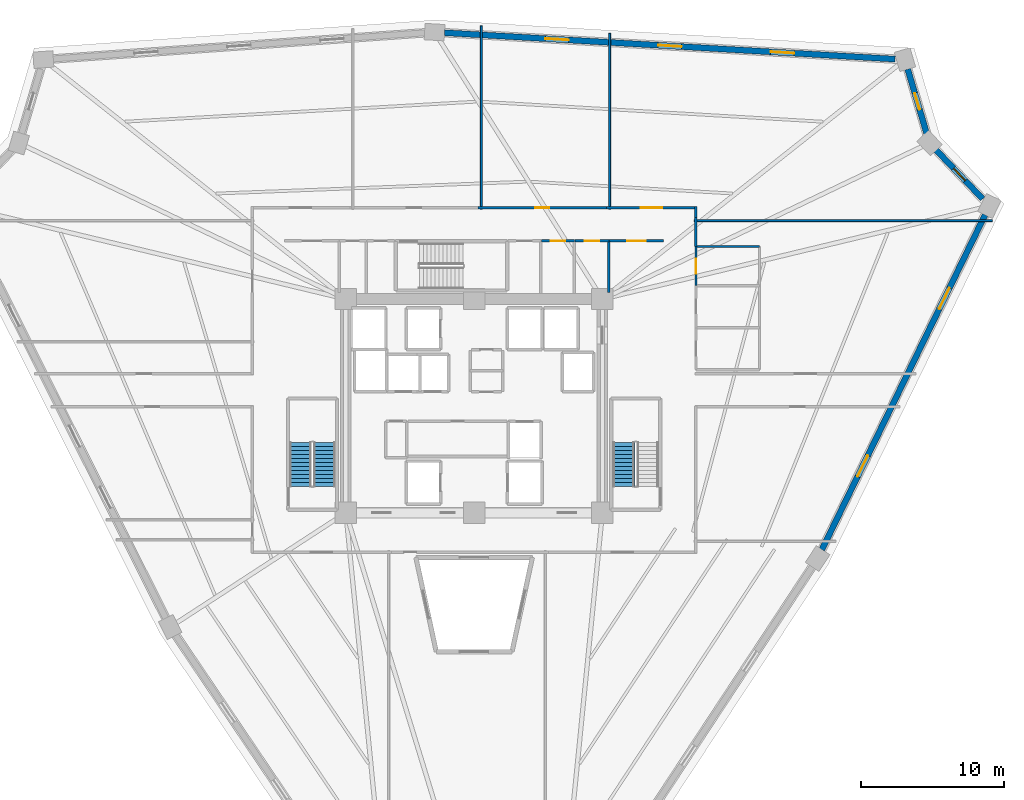
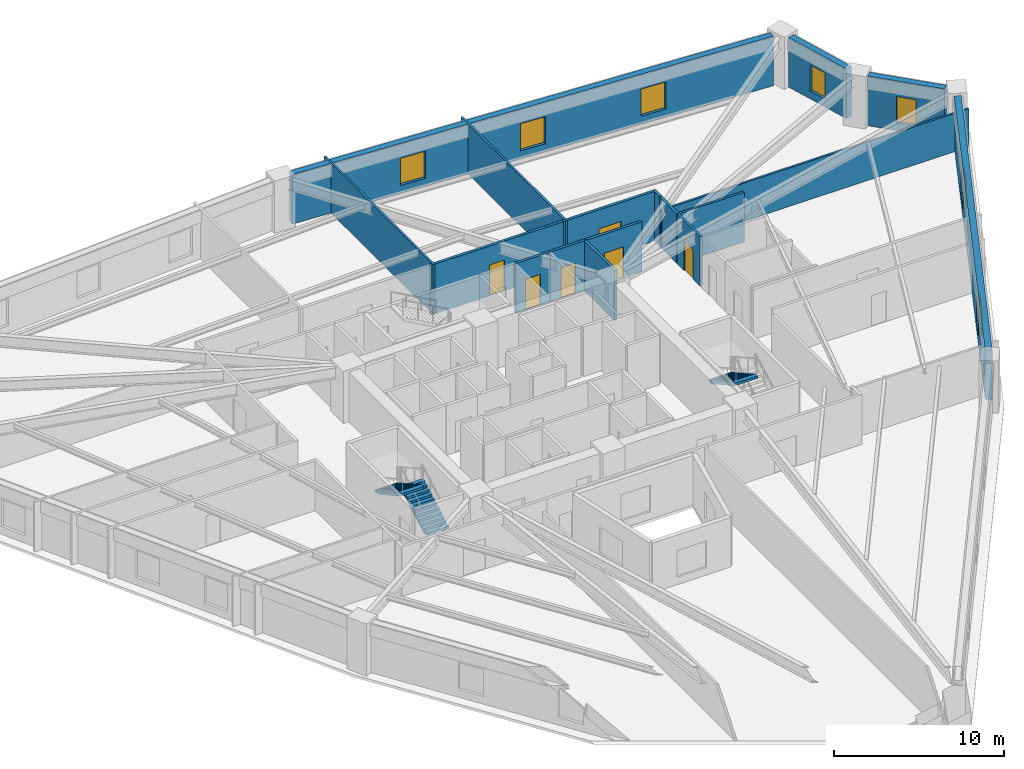
# One storey, part 7 of 9: 17 walls, 7 windows, 6 doors, 3 stair flights, 13 openings, 2 elements without a shape of their own.
"""IFC4 building model written with IfcOpenShell, lengths in metres."""

from ifc_helpers import new_model, si_unit, direction, frame, frame_2d, origin, place, context, subcontext, project, spatial, polyline, rectangle, outline, extrude, source, transform, mapped, material, layer, layer_set, type_object, element, fill, aggregate, save


model = new_model("IFC4")

# Units and contexts
model_context = context("Model", 3, precision=1e-05, world=origin(), true_north=direction((0.0, 1.0)))
body_context = subcontext(model_context, "Body", "Model", "MODEL_VIEW")
ifc_project = project(units=[si_unit("LENGTHUNIT", "METRE"), si_unit("AREAUNIT", "SQUARE_METRE"), si_unit("VOLUMEUNIT", "CUBIC_METRE"), si_unit("PLANEANGLEUNIT", "RADIAN"), si_unit("MASSUNIT", "GRAM", prefix="KILO")], contexts=[model_context])

# Site, building, storey
site_placement = place(None, origin())
site = spatial("IfcSite", under=ifc_project, at=site_placement, CompositionType="ELEMENT")
building_placement = place(site_placement, origin())
building = spatial("IfcBuilding", under=site, at=building_placement, Name="Liaohun Quay Tower", CompositionType="ELEMENT")
storey_placement = place(building_placement, frame((0.0, 0.0, 128.25)))
storey = spatial("IfcBuildingStorey", under=building, at=storey_placement, Name="L33", CompositionType="ELEMENT", Elevation=128.25)

# Wall, openings, windows
ifc_material_1 = material(Name="Precast concrete C50 insulated sandwich", Category="concrete")
ifc_layer_1 = layer(ifc_material_1, 0.419921875, Name="Precast concrete C50 insulated sandwich", Category="concrete")
ifc_layer_set_1 = layer_set([ifc_layer_1], Name="Precast concrete C50 insulated sandwich")
wall_type_1 = type_object("IfcWallType", Name="WAL-EXT-Z12", PredefinedType="SOLIDWALL", material=ifc_layer_set_1)
wall_1_placement = place(storey_placement, frame((84.40087890625, 43.909912109375, 0.0), z_axis=(0.0, 0.0, 1.0), x_axis=(0.438149799109, 0.898901971041, 0.0)))
wall_1 = element("IfcWall", 1, at=wall_1_placement, inside=storey, type_object=wall_type_1, Name="L33 Brutalist Precast Pier Wall 03", PredefinedType="SOLIDWALL", context=body_context, shape_type="SweptSolid", body=[
    extrude(rectangle(XDim=26.1396484375, YDim=0.419921875, at=frame_2d((13.06982421875, 0.0))), origin(), (0.0, 0.0, 1.0), 3.570068359375),
])
shared_shape_1 = source(origin(), body_context, "Body", "SweptSolid", [
    extrude(rectangle(XDim=1.64990234375, YDim=1.949951171875, at=frame_2d((0.824951171875, 0.97509765625))), frame((0.0, 0.219970703125, 0.0), z_axis=(0.0, -1.0, 0.0), x_axis=(1.0, 0.0, 0.0)), (0.0, 0.0, 1.0), 0.43994140625),
])
opening_1_placement = place(wall_1_placement, frame((5.7099609375, 0.0, 0.550048828125)))
opening_1 = element("IfcOpeningElement", 2, at=opening_1_placement, cuts=wall_1, Name="Opening W02", PredefinedType="OPENING", context=body_context, shape_type="MappedRepresentation", body=[
    mapped(shared_shape_1, transform((0.0, 0.0, 0.0), x_axis=(1.0, 0.0, 0.0), y_axis=(0.0, 1.0, 0.0), z_axis=(0.0, 0.0, 1.0), scale=1.0)),
])
opening_2_placement = place(wall_1_placement, frame((18.780029296875, 0.0, 0.550048828125)))
opening_2 = element("IfcOpeningElement", 3, at=opening_2_placement, cuts=wall_1, Name="Opening W02", PredefinedType="OPENING", context=body_context, shape_type="MappedRepresentation", body=[
    mapped(shared_shape_1, transform((0.0, 0.0, 0.0), x_axis=(1.0, 0.0, 0.0), y_axis=(0.0, 1.0, 0.0), z_axis=(0.0, 0.0, 1.0), scale=1.0)),
])
ifc_material_2 = material(Name="Triple Low-E argon glazing in thermally broken aluminium", Category="aluminium")
window_type_1 = type_object("IfcWindowType", Name="WIN-PUN-Z2", PartitioningType="DOUBLE_PANEL_VERTICAL", PredefinedType="WINDOW", material=ifc_material_2)
shared_shape_2 = source(origin(), body_context, "Body", "SweptSolid", [
    extrude(rectangle(XDim=1.64990234375, YDim=1.949951171875, at=frame_2d((0.824951171875, 0.97509765625))), frame((0.0, 0.030029296875, 0.0), z_axis=(0.0, -1.0, 0.0), x_axis=(1.0, 0.0, 0.0)), (0.0, 0.0, 1.0), 0.06005859375),
])
window_1_placement = place(opening_1_placement, origin())
window_1 = element("IfcWindow", 4, at=window_1_placement, inside=storey, type_object=window_type_1, Name="L33 Recessed Cold-Climate Punched Window 03-1", OverallHeight=1.949951171875, OverallWidth=1.64990234375, PartitioningType="DOUBLE_PANEL_VERTICAL", PredefinedType="WINDOW", context=body_context, shape_type="MappedRepresentation", body=[
    mapped(shared_shape_2, transform((0.0, 0.0, 0.0), x_axis=(1.0, 0.0, 0.0), y_axis=(0.0, 1.0, 0.0), z_axis=(0.0, 0.0, 1.0), scale=1.0)),
])
fill(opening_1, window_1)
window_2_placement = place(opening_2_placement, origin())
window_2 = element("IfcWindow", 5, at=window_2_placement, inside=storey, type_object=window_type_1, Name="L33 Recessed Cold-Climate Punched Window 03-3", OverallHeight=1.949951171875, OverallWidth=1.64990234375, PartitioningType="DOUBLE_PANEL_VERTICAL", PredefinedType="WINDOW", context=body_context, shape_type="MappedRepresentation", body=[
    mapped(shared_shape_2, transform((0.0, 0.0, 0.0), x_axis=(1.0, 0.0, 0.0), y_axis=(0.0, 1.0, 0.0), z_axis=(0.0, 0.0, 1.0), scale=1.0)),
])
fill(opening_2, window_2)

# Wall, opening, window
wall_2_placement = place(storey_placement, frame((95.679931640625, 68.527099609375, 0.0), z_axis=(0.0, 0.0, 1.0), x_axis=(-0.689303823825, 0.724472386265, 0.0)))
wall_2 = element("IfcWall", 6, at=wall_2_placement, inside=storey, type_object=wall_type_1, Name="L33 Brutalist Precast Pier Wall 04", PredefinedType="SOLIDWALL", context=body_context, shape_type="SweptSolid", body=[
    extrude(rectangle(XDim=4.720458984375, YDim=0.419921875, at=frame_2d((2.3603515625, 0.0))), origin(), (0.0, 0.0, 1.0), 3.570068359375),
])
shared_shape_3 = source(origin(), body_context, "Body", "SweptSolid", [
    extrude(rectangle(XDim=1.199951171875, YDim=1.89990234375, at=frame_2d((0.60009765625, 0.949951171875))), frame((0.0, 0.219970703125, 0.0), z_axis=(0.0, -1.0, 0.0), x_axis=(1.0, 0.0, 0.0)), (0.0, 0.0, 1.0), 0.43994140625),
])
opening_3_placement = place(wall_2_placement, frame((1.760009765625, 0.0, 0.550048828125)))
opening_3 = element("IfcOpeningElement", 7, at=opening_3_placement, cuts=wall_2, Name="Opening W05", PredefinedType="OPENING", context=body_context, shape_type="MappedRepresentation", body=[
    mapped(shared_shape_3, transform((0.0, 0.0, 0.0), x_axis=(1.0, 0.0, 0.0), y_axis=(0.0, 1.0, 0.0), z_axis=(0.0, 0.0, 1.0), scale=1.0)),
])
ifc_material_3 = material(Name="Triple Low-E corner notch glazing", Category="glass")
window_type_2 = type_object("IfcWindowType", Name="WIN-NOTCH", PartitioningType="SINGLE_PANEL", PredefinedType="WINDOW", material=ifc_material_3)
shared_shape_4 = source(origin(), body_context, "Body", "SweptSolid", [
    extrude(rectangle(XDim=1.199951171875, YDim=1.89990234375, at=frame_2d((0.60009765625, 0.949951171875))), frame((0.0, 0.030029296875, 0.0), z_axis=(0.0, -1.0, 0.0), x_axis=(1.0, 0.0, 0.0)), (0.0, 0.0, 1.0), 0.06005859375),
])
window_3_placement = place(opening_3_placement, origin())
window_3 = element("IfcWindow", 8, at=window_3_placement, inside=storey, type_object=window_type_2, Name="L33 Corner Notch Window W05-04", OverallHeight=1.89990234375, OverallWidth=1.199951171875, PartitioningType="SINGLE_PANEL", PredefinedType="WINDOW", context=body_context, shape_type="MappedRepresentation", body=[
    mapped(shared_shape_4, transform((0.0, 0.0, 0.0), x_axis=(1.0, 0.0, 0.0), y_axis=(0.0, 1.0, 0.0), z_axis=(0.0, 0.0, 1.0), scale=1.0)),
])
fill(opening_3, window_3)

wall_3_placement = place(storey_placement, frame((91.7548828125, 73.10888671875, 0.0), z_axis=(0.0, 0.0, 1.0), x_axis=(-0.282572950825, 0.959245811803, 0.0)))
wall_3 = element("IfcWall", 9, at=wall_3_placement, inside=storey, type_object=wall_type_1, Name="L33 Brutalist Precast Pier Wall 05", PredefinedType="SOLIDWALL", context=body_context, shape_type="SweptSolid", body=[
    extrude(rectangle(XDim=4.713134765625, YDim=0.419921875, at=frame_2d((2.3564453125, 0.0))), origin(), (0.0, 0.0, 1.0), 3.570068359375),
])
opening_4_placement = place(wall_3_placement, frame((1.757080078125, 0.0, 0.550048828125)))
opening_4 = element("IfcOpeningElement", 10, at=opening_4_placement, cuts=wall_3, Name="Opening W05", PredefinedType="OPENING", context=body_context, shape_type="MappedRepresentation", body=[
    mapped(shared_shape_3, transform((0.0, 0.0, 0.0), x_axis=(1.0, 0.0, 0.0), y_axis=(0.0, 1.0, 0.0), z_axis=(0.0, 0.0, 1.0), scale=1.0)),
])
window_4_placement = place(opening_4_placement, origin())
window_4 = element("IfcWindow", 11, at=window_4_placement, inside=storey, type_object=window_type_2, Name="L33 Corner Notch Window W05-05", OverallHeight=1.89990234375, OverallWidth=1.199951171875, PartitioningType="SINGLE_PANEL", PredefinedType="WINDOW", context=body_context, shape_type="MappedRepresentation", body=[
    mapped(shared_shape_4, transform((0.0, 0.0, 0.0), x_axis=(1.0, 0.0, 0.0), y_axis=(0.0, 1.0, 0.0), z_axis=(0.0, 0.0, 1.0), scale=1.0)),
])
fill(opening_4, window_4)

# Wall, openings, windows
wall_4_placement = place(storey_placement, frame((89.5390625, 78.33203125, 0.0), z_axis=(0.0, 0.0, 1.0), x_axis=(-0.998285887644, 0.058525947494, 0.0)))
wall_4 = element("IfcWall", 12, at=wall_4_placement, inside=storey, type_object=wall_type_1, Name="L33 Brutalist Precast Pier Wall 06", PredefinedType="SOLIDWALL", context=body_context, shape_type="SweptSolid", body=[
    extrude(rectangle(XDim=31.67822265625, YDim=0.419921875, at=frame_2d((15.839111328125, 0.0))), origin(), (0.0, 0.0, 1.0), 3.570068359375),
])
opening_5_placement = place(wall_4_placement, frame((7.094970703125, 0.0, 0.550048828125)))
opening_5 = element("IfcOpeningElement", 13, at=opening_5_placement, cuts=wall_4, Name="Opening W02", PredefinedType="OPENING", context=body_context, shape_type="MappedRepresentation", body=[
    mapped(shared_shape_1, transform((0.0, 0.0, 0.0), x_axis=(1.0, 0.0, 0.0), y_axis=(0.0, 1.0, 0.0), z_axis=(0.0, 0.0, 1.0), scale=1.0)),
])
opening_6_placement = place(wall_4_placement, frame((15.013916015625, 0.0, 0.550048828125)))
opening_6 = element("IfcOpeningElement", 14, at=opening_6_placement, cuts=wall_4, Name="Opening W02", PredefinedType="OPENING", context=body_context, shape_type="MappedRepresentation", body=[
    mapped(shared_shape_1, transform((0.0, 0.0, 0.0), x_axis=(1.0, 0.0, 0.0), y_axis=(0.0, 1.0, 0.0), z_axis=(0.0, 0.0, 1.0), scale=1.0)),
])
opening_7_placement = place(wall_4_placement, frame((22.93408203125, 0.0, 0.550048828125)))
opening_7 = element("IfcOpeningElement", 15, at=opening_7_placement, cuts=wall_4, Name="Opening W02", PredefinedType="OPENING", context=body_context, shape_type="MappedRepresentation", body=[
    mapped(shared_shape_1, transform((0.0, 0.0, 0.0), x_axis=(1.0, 0.0, 0.0), y_axis=(0.0, 1.0, 0.0), z_axis=(0.0, 0.0, 1.0), scale=1.0)),
])
window_5_placement = place(opening_5_placement, origin())
window_5 = element("IfcWindow", 16, at=window_5_placement, inside=storey, type_object=window_type_1, Name="L33 Recessed Cold-Climate Punched Window 06-1", OverallHeight=1.949951171875, OverallWidth=1.64990234375, PartitioningType="DOUBLE_PANEL_VERTICAL", PredefinedType="WINDOW", context=body_context, shape_type="MappedRepresentation", body=[
    mapped(shared_shape_2, transform((0.0, 0.0, 0.0), x_axis=(1.0, 0.0, 0.0), y_axis=(0.0, 1.0, 0.0), z_axis=(0.0, 0.0, 1.0), scale=1.0)),
])
fill(opening_5, window_5)
window_6_placement = place(opening_6_placement, origin())
window_6 = element("IfcWindow", 17, at=window_6_placement, inside=storey, type_object=window_type_1, Name="L33 Recessed Cold-Climate Punched Window 06-2", OverallHeight=1.949951171875, OverallWidth=1.64990234375, PartitioningType="DOUBLE_PANEL_VERTICAL", PredefinedType="WINDOW", context=body_context, shape_type="MappedRepresentation", body=[
    mapped(shared_shape_2, transform((0.0, 0.0, 0.0), x_axis=(1.0, 0.0, 0.0), y_axis=(0.0, 1.0, 0.0), z_axis=(0.0, 0.0, 1.0), scale=1.0)),
])
fill(opening_6, window_6)
window_7_placement = place(opening_7_placement, origin())
window_7 = element("IfcWindow", 18, at=window_7_placement, inside=storey, type_object=window_type_1, Name="L33 Recessed Cold-Climate Punched Window 06-3", OverallHeight=1.949951171875, OverallWidth=1.64990234375, PartitioningType="DOUBLE_PANEL_VERTICAL", PredefinedType="WINDOW", context=body_context, shape_type="MappedRepresentation", body=[
    mapped(shared_shape_2, transform((0.0, 0.0, 0.0), x_axis=(1.0, 0.0, 0.0), y_axis=(0.0, 1.0, 0.0), z_axis=(0.0, 0.0, 1.0), scale=1.0)),
])
fill(opening_7, window_7)

# Wall, opening, door
ifc_material_4 = material(Name="Autoclaved aerated concrete blockwork", Category="masonry")
ifc_layer_2 = layer(ifc_material_4, 0.179931640625, Name="Autoclaved aerated concrete blockwork", Category="masonry")
ifc_layer_set_2 = layer_set([ifc_layer_2], Name="Autoclaved aerated concrete blockwork")
wall_type_2 = type_object("IfcWallType", Name="WAL-PRT-COR", PredefinedType="PARTITIONING", material=ifc_layer_set_2)
wall_5_placement = place(storey_placement, frame((64.719970703125, 65.580078125, 0.0), z_axis=(0.0, 0.0, 1.0), x_axis=(1.0, 0.0, 0.0)))
wall_5 = element("IfcWall", 19, at=wall_5_placement, inside=storey, type_object=wall_type_2, Name="L33 Interior Partition Wall 011", PredefinedType="PARTITIONING", context=body_context, shape_type="SweptSolid", body=[
    extrude(rectangle(XDim=2.320068359375, YDim=0.179931640625, at=frame_2d((1.16015625, 0.0))), origin(), (0.0, 0.0, 1.0), 3.570068359375),
])
shared_shape_5 = source(origin(), body_context, "Body", "SweptSolid", [
    extrude(rectangle(XDim=1.0, YDim=2.199951171875, at=frame_2d((0.5, 1.10009765625))), frame((0.0, 0.099853515625, 0.0), z_axis=(0.0, -1.0, 0.0), x_axis=(1.0, 0.0, 0.0)), (0.0, 0.0, 1.0), 0.199951171875),
])
opening_8_placement = place(wall_5_placement, frame((0.659912109375, 0.0, 0.0)))
opening_8 = element("IfcOpeningElement", 20, at=opening_8_placement, cuts=wall_5, Name="Opening OD1", PredefinedType="OPENING", context=body_context, shape_type="MappedRepresentation", body=[
    mapped(shared_shape_5, transform((0.0, 0.0, 0.0), x_axis=(1.0, 0.0, 0.0), y_axis=(0.0, 1.0, 0.0), z_axis=(0.0, 0.0, 1.0), scale=1.0)),
])
ifc_material_5 = material(Name="Solid-core oak veneer timber leaf in steel frame", Category="steel")
door_type_1 = type_object("IfcDoorType", Name="DOR-OFF-1000", OperationType="NOTDEFINED", PredefinedType="DOOR", material=ifc_material_5)
shared_shape_6 = source(origin(), body_context, "Body", "SweptSolid", [
    extrude(rectangle(XDim=1.0, YDim=2.199951171875, at=frame_2d((0.5, 1.10009765625))), frame((0.0, 0.02490234375, 0.0), z_axis=(0.0, -1.0, 0.0), x_axis=(1.0, 0.0, 0.0)), (0.0, 0.0, 1.0), 0.050048828125),
])
door_1_placement = place(opening_8_placement, origin())
door_1 = element("IfcDoor", 21, at=door_1_placement, inside=storey, type_object=door_type_1, Name="L33 North-East Comms Room Door", OperationType="SINGLE_SWING_LEFT", OverallHeight=2.199951171875, OverallWidth=1.0, PredefinedType="DOOR", context=body_context, shape_type="MappedRepresentation", body=[
    mapped(shared_shape_6, transform((0.0, 0.0, 0.0), x_axis=(1.0, 0.0, 0.0), y_axis=(0.0, 1.0, 0.0), z_axis=(0.0, 0.0, 1.0), scale=1.0)),
])
fill(opening_8, door_1)

wall_6_placement = place(storey_placement, frame((67.080078125, 65.580078125, 0.0), z_axis=(0.0, 0.0, 1.0), x_axis=(1.0, 0.0, 0.0)))
wall_6 = element("IfcWall", 22, at=wall_6_placement, inside=storey, type_object=wall_type_2, Name="L33 Interior Partition Wall 012", PredefinedType="PARTITIONING", context=body_context, shape_type="SweptSolid", body=[
    extrude(rectangle(XDim=2.3798828125, YDim=0.179931640625, at=frame_2d((1.18994140625, 0.0))), origin(), (0.0, 0.0, 1.0), 3.570068359375),
])
opening_9_placement = place(wall_6_placement, frame((0.68994140625, 0.0, 0.0)))
opening_9 = element("IfcOpeningElement", 23, at=opening_9_placement, cuts=wall_6, Name="Opening OD1", PredefinedType="OPENING", context=body_context, shape_type="MappedRepresentation", body=[
    mapped(shared_shape_5, transform((0.0, 0.0, 0.0), x_axis=(1.0, 0.0, 0.0), y_axis=(0.0, 1.0, 0.0), z_axis=(0.0, 0.0, 1.0), scale=1.0)),
])
door_2_placement = place(opening_9_placement, origin())
door_2 = element("IfcDoor", 24, at=door_2_placement, inside=storey, type_object=door_type_1, Name="L33 North-East Cleaner Store Door", OperationType="SINGLE_SWING_RIGHT", OverallHeight=2.199951171875, OverallWidth=1.0, PredefinedType="DOOR", context=body_context, shape_type="MappedRepresentation", body=[
    mapped(shared_shape_6, transform((0.0, 0.0, 0.0), x_axis=(1.0, 0.0, 0.0), y_axis=(0.0, 1.0, 0.0), z_axis=(0.0, 0.0, 1.0), scale=1.0)),
])
fill(opening_9, door_2)

wall_7_placement = place(storey_placement, frame((69.4599609375, 65.580078125, 0.0), z_axis=(0.0, 0.0, 1.0), x_axis=(1.0, 0.0, 0.0)))
wall_7 = element("IfcWall", 25, at=wall_7_placement, inside=storey, type_object=wall_type_2, Name="L33 Interior Partition Wall 014", PredefinedType="PARTITIONING", context=body_context, shape_type="SweptSolid", body=[
    extrude(rectangle(XDim=3.840087890625, YDim=0.179931640625, at=frame_2d((1.919921875, 0.0))), origin(), (0.0, 0.0, 1.0), 3.570068359375),
])
shared_shape_7 = source(origin(), body_context, "Body", "SweptSolid", [
    extrude(rectangle(XDim=1.300048828125, YDim=2.199951171875, at=frame_2d((0.64990234375, 1.10009765625))), frame((0.0, 0.099853515625, 0.0), z_axis=(0.0, -1.0, 0.0), x_axis=(1.0, 0.0, 0.0)), (0.0, 0.0, 1.0), 0.199951171875),
])
opening_10_placement = place(wall_7_placement, frame((1.27001953125, 0.0, 0.0)))
opening_10 = element("IfcOpeningElement", 26, at=opening_10_placement, cuts=wall_7, Name="Opening FD1", PredefinedType="OPENING", context=body_context, shape_type="MappedRepresentation", body=[
    mapped(shared_shape_7, transform((0.0, 0.0, 0.0), x_axis=(1.0, 0.0, 0.0), y_axis=(0.0, 1.0, 0.0), z_axis=(0.0, 0.0, 1.0), scale=1.0)),
])
ifc_material_6 = material(Name="Galvanised steel smokeproof fire door", Category="steel")
door_type_2 = type_object("IfcDoorType", Name="DOR-FFL-1300", OperationType="NOTDEFINED", PredefinedType="DOOR", material=ifc_material_6)
shared_shape_8 = source(origin(), body_context, "Body", "SweptSolid", [
    extrude(rectangle(XDim=1.300048828125, YDim=2.199951171875, at=frame_2d((0.64990234375, 1.10009765625))), frame((0.0, 0.02490234375, 0.0), z_axis=(0.0, -1.0, 0.0), x_axis=(1.0, 0.0, 0.0)), (0.0, 0.0, 1.0), 0.050048828125),
])
door_3_placement = place(opening_10_placement, origin())
door_3 = element("IfcDoor", 27, at=door_3_placement, inside=storey, type_object=door_type_2, Name="L33 East Core Vestibule Door", OperationType="SINGLE_SWING_RIGHT", OverallHeight=2.199951171875, OverallWidth=1.300048828125, PredefinedType="DOOR", context=body_context, shape_type="MappedRepresentation", body=[
    mapped(shared_shape_8, transform((0.0, 0.0, 0.0), x_axis=(1.0, 0.0, 0.0), y_axis=(0.0, 1.0, 0.0), z_axis=(0.0, 0.0, 1.0), scale=1.0)),
])
fill(opening_10, door_3)

wall_8_placement = place(storey_placement, frame((69.284912109375, 67.909912109375, 0.0), z_axis=(0.0, 0.0, 1.0), x_axis=(1.0, 0.0, 0.0)))
wall_8 = element("IfcWall", 28, at=wall_8_placement, inside=storey, type_object=wall_type_2, Name="L33 Interior Partition Wall 016", PredefinedType="PARTITIONING", context=body_context, shape_type="SweptSolid", body=[
    extrude(rectangle(XDim=6.344970703125, YDim=0.179931640625, at=frame_2d((3.17236328125, 0.0))), origin(), (0.0, 0.0, 1.0), 3.570068359375),
])
shared_shape_9 = source(origin(), body_context, "Body", "SweptSolid", [
    extrude(rectangle(XDim=1.5, YDim=2.199951171875, at=frame_2d((0.75, 1.10009765625))), frame((0.0, 0.099853515625, 0.0), z_axis=(0.0, -1.0, 0.0), x_axis=(1.0, 0.0, 0.0)), (0.0, 0.0, 1.0), 0.199951171875),
])
opening_11_placement = place(wall_8_placement, frame((2.422119140625, 0.0, 0.0)))
opening_11 = element("IfcOpeningElement", 29, at=opening_11_placement, cuts=wall_8, Name="Opening OD2", PredefinedType="OPENING", context=body_context, shape_type="MappedRepresentation", body=[
    mapped(shared_shape_9, transform((0.0, 0.0, 0.0), x_axis=(1.0, 0.0, 0.0), y_axis=(0.0, 1.0, 0.0), z_axis=(0.0, 0.0, 1.0), scale=1.0)),
])
ifc_material_7 = material(Name="Acoustic oak veneer double door")
door_type_3 = type_object("IfcDoorType", Name="DOR-OFF-1500", OperationType="DOUBLE_DOOR_SINGLE_SWING", PredefinedType="DOOR", material=ifc_material_7)
shared_shape_10 = source(origin(), body_context, "Body", "SweptSolid", [
    extrude(rectangle(XDim=1.5, YDim=2.199951171875, at=frame_2d((0.75, 1.10009765625))), frame((0.0, 0.02490234375, 0.0), z_axis=(0.0, -1.0, 0.0), x_axis=(1.0, 0.0, 0.0)), (0.0, 0.0, 1.0), 0.050048828125),
])
door_4_placement = place(opening_11_placement, origin())
door_4 = element("IfcDoor", 30, at=door_4_placement, inside=storey, type_object=door_type_3, Name="L33 Digital Prototyping Laboratory 02 Door", OperationType="DOUBLE_DOOR_SINGLE_SWING", OverallHeight=2.199951171875, OverallWidth=1.5, PredefinedType="DOOR", context=body_context, shape_type="MappedRepresentation", body=[
    mapped(shared_shape_10, transform((0.0, 0.0, 0.0), x_axis=(1.0, 0.0, 0.0), y_axis=(0.0, 1.0, 0.0), z_axis=(0.0, 0.0, 1.0), scale=1.0)),
])
fill(opening_11, door_4)

wall_9_placement = place(storey_placement, frame((60.284912109375, 67.909912109375, 0.0), z_axis=(0.0, 0.0, 1.0), x_axis=(1.0, 0.0, 0.0)))
wall_9 = element("IfcWall", 31, at=wall_9_placement, inside=storey, type_object=wall_type_2, Name="L33 Interior Partition Wall 017", PredefinedType="PARTITIONING", context=body_context, shape_type="SweptSolid", body=[
    extrude(rectangle(XDim=9.0, YDim=0.179931640625, at=frame_2d((4.5, 0.0))), origin(), (0.0, 0.0, 1.0), 3.570068359375),
])
opening_12_placement = place(wall_9_placement, frame((4.0, 0.0, 0.0)))
opening_12 = element("IfcOpeningElement", 32, at=opening_12_placement, cuts=wall_9, Name="Opening OD1", PredefinedType="OPENING", context=body_context, shape_type="MappedRepresentation", body=[
    mapped(shared_shape_5, transform((0.0, 0.0, 0.0), x_axis=(1.0, 0.0, 0.0), y_axis=(0.0, 1.0, 0.0), z_axis=(0.0, 0.0, 1.0), scale=1.0)),
])
door_5_placement = place(opening_12_placement, origin())
door_5 = element("IfcDoor", 33, at=door_5_placement, inside=storey, type_object=door_type_1, Name="L33 Technical Reference Library 03 Door", OperationType="SINGLE_SWING_LEFT", OverallHeight=2.199951171875, OverallWidth=1.0, PredefinedType="DOOR", context=body_context, shape_type="MappedRepresentation", body=[
    mapped(shared_shape_6, transform((0.0, 0.0, 0.0), x_axis=(1.0, 0.0, 0.0), y_axis=(0.0, 1.0, 0.0), z_axis=(0.0, 0.0, 1.0), scale=1.0)),
])
fill(opening_12, door_5)

# Walls
wall_10_placement = place(storey_placement, frame((69.4599609375, 61.949951171875, 0.0), z_axis=(0.0, 0.0, 1.0), x_axis=(0.0, 1.0, 0.0)))
element("IfcWall", 34, at=wall_10_placement, inside=storey, type_object=wall_type_2, Name="L33 Interior Partition Wall 043", PredefinedType="PARTITIONING", context=body_context, shape_type="SweptSolid", body=[
    extrude(rectangle(XDim=3.630126953125, YDim=0.179931640625, at=frame_2d((1.81494140625, 0.0))), origin(), (0.0, 0.0, 1.0), 3.570068359375),
])
wall_11_placement = place(storey_placement, frame((75.56005859375, 67.215087890625, 0.0), z_axis=(0.0, 0.0, 1.0), x_axis=(0.0, -1.0, 0.0)))
element("IfcWall", 35, at=wall_11_placement, inside=storey, type_object=wall_type_2, Name="L33 Interior Partition Wall 044", PredefinedType="PARTITIONING", context=body_context, shape_type="SweptSolid", body=[
    extrude(rectangle(XDim=2.03515625, YDim=0.179931640625, at=frame_2d((1.017578125, 0.0))), origin(), (0.0, 0.0, 1.0), 3.570068359375),
])
wall_12_placement = place(storey_placement, frame((75.56005859375, 67.97998046875, 0.0), z_axis=(0.0, 0.0, 1.0), x_axis=(0.0, -1.0, 0.0)))
element("IfcWall", 36, at=wall_12_placement, inside=storey, type_object=wall_type_2, Name="L33 Interior Partition Wall 045", PredefinedType="PARTITIONING", context=body_context, shape_type="SweptSolid", body=[
    extrude(rectangle(XDim=0.764892578125, YDim=0.179931640625, at=frame_2d((0.38232421875, 0.0))), origin(), (0.0, 0.0, 1.0), 3.570068359375),
])
ifc_material_8 = material(Name="Gypsum board on twin steel studs", Category="steel")
ifc_layer_3 = layer(ifc_material_8, 0.139892578125, Name="Gypsum board on twin steel studs", Category="steel")
ifc_layer_set_3 = layer_set([ifc_layer_3], Name="Gypsum board on twin steel studs")
wall_type_3 = type_object("IfcWallType", Name="WAL-PRT-OFF", PredefinedType="PARTITIONING", material=ifc_layer_set_3)
wall_13_placement = place(storey_placement, frame((75.4599609375, 67.0, 0.0), z_axis=(0.0, 0.0, 1.0), x_axis=(1.0, 0.0, 0.0)))
element("IfcWall", 37, at=wall_13_placement, inside=storey, type_object=wall_type_3, Name="L33 Interior Partition Wall 057", PredefinedType="PARTITIONING", context=body_context, shape_type="SweptSolid", body=[
    extrude(rectangle(XDim=20.89697265625, YDim=0.139892578125, at=frame_2d((10.448486328125, 0.0))), origin(), (0.0, 0.0, 1.0), 2.7548828125),
])
wall_14_placement = place(storey_placement, frame((60.5, 67.81005859375, 0.0), z_axis=(0.0, 0.0, 1.0), x_axis=(0.0, 1.0, 0.0)))
element("IfcWall", 38, at=wall_14_placement, inside=storey, type_object=wall_type_3, Name="L33 Interior Partition Wall 059", PredefinedType="PARTITIONING", context=body_context, shape_type="SweptSolid", body=[
    extrude(rectangle(XDim=12.85498046875, YDim=0.139892578125, at=frame_2d((6.427490234375, 0.0))), origin(), (0.0, 0.0, 1.0), 3.570068359375),
])
wall_15_placement = place(storey_placement, frame((69.5, 67.81005859375, 0.0), z_axis=(0.0, 0.0, 1.0), x_axis=(0.0, 1.0, 0.0)))
element("IfcWall", 39, at=wall_15_placement, inside=storey, type_object=wall_type_3, Name="L33 Interior Partition Wall 060", PredefinedType="PARTITIONING", context=body_context, shape_type="SweptSolid", body=[
    extrude(rectangle(XDim=12.327880859375, YDim=0.139892578125, at=frame_2d((6.1640625, 0.0))), origin(), (0.0, 0.0, 1.0), 3.570068359375),
])

# Wall, opening, door
ifc_material_9 = material(Name="Moisture-resistant masonry blockwork", Category="masonry")
ifc_layer_4 = layer(ifc_material_9, 0.159912109375, Name="Moisture-resistant masonry blockwork", Category="masonry")
ifc_layer_set_4 = layer_set([ifc_layer_4], Name="Moisture-resistant masonry blockwork")
wall_type_4 = type_object("IfcWallType", Name="WAL-PRT-WET", PredefinedType="PARTITIONING", material=ifc_layer_set_4)
wall_16_placement = place(storey_placement, frame((75.56005859375, 62.43994140625, 0.0), z_axis=(0.0, 0.0, 1.0), x_axis=(0.0, 1.0, 0.0)))
wall_16 = element("IfcWall", 40, at=wall_16_placement, inside=storey, type_object=wall_type_4, Name="L33 Interior Partition Wall 007", PredefinedType="PARTITIONING", context=body_context, shape_type="SweptSolid", body=[
    extrude(rectangle(XDim=2.739990234375, YDim=0.159912109375, at=frame_2d((1.3701171875, 0.0))), origin(), (0.0, 0.0, 1.0), 3.570068359375),
])
shared_shape_11 = source(origin(), body_context, "Body", "SweptSolid", [
    extrude(rectangle(XDim=1.050048828125, YDim=2.14990234375, at=frame_2d((0.52490234375, 1.074951171875))), frame((0.0, 0.08984375, 0.0), z_axis=(0.0, -1.0, 0.0), x_axis=(1.0, 0.0, 0.0)), (0.0, 0.0, 1.0), 0.179931640625),
])
opening_13_placement = place(wall_16_placement, frame((0.844970703125, 0.0, 0.0)))
opening_13 = element("IfcOpeningElement", 41, at=opening_13_placement, cuts=wall_16, Name="Opening WD2", PredefinedType="OPENING", context=body_context, shape_type="MappedRepresentation", body=[
    mapped(shared_shape_11, transform((0.0, 0.0, 0.0), x_axis=(1.0, 0.0, 0.0), y_axis=(0.0, 1.0, 0.0), z_axis=(0.0, 0.0, 1.0), scale=1.0)),
])
ifc_material_10 = material(Name="Accessible outward-swinging laminate door")
door_type_4 = type_object("IfcDoorType", Name="DOR-AWC-1050", OperationType="NOTDEFINED", PredefinedType="DOOR", material=ifc_material_10)
shared_shape_12 = source(origin(), body_context, "Body", "SweptSolid", [
    extrude(rectangle(XDim=1.050048828125, YDim=2.14990234375, at=frame_2d((0.52490234375, 1.074951171875))), frame((0.0, 0.02490234375, 0.0), z_axis=(0.0, -1.0, 0.0), x_axis=(1.0, 0.0, 0.0)), (0.0, 0.0, 1.0), 0.050048828125),
])
door_6_placement = place(opening_13_placement, origin())
door_6 = element("IfcDoor", 42, at=door_6_placement, inside=storey, type_object=door_type_4, Name="L33 Accessible WC Door", OperationType="SINGLE_SWING_LEFT", OverallHeight=2.14990234375, OverallWidth=1.050048828125, PredefinedType="DOOR", context=body_context, shape_type="MappedRepresentation", body=[
    mapped(shared_shape_12, transform((0.0, 0.0, 0.0), x_axis=(1.0, 0.0, 0.0), y_axis=(0.0, 1.0, 0.0), z_axis=(0.0, 0.0, 1.0), scale=1.0)),
])
fill(opening_13, door_6)

# Wall
wall_17_placement = place(storey_placement, frame((75.56005859375, 65.179931640625, 0.0), z_axis=(0.0, 0.0, 1.0), x_axis=(1.0, 0.0, 0.0)))
element("IfcWall", 43, at=wall_17_placement, inside=storey, type_object=wall_type_4, Name="L33 Interior Partition Wall 038", PredefinedType="PARTITIONING", context=body_context, shape_type="SweptSolid", body=[
    extrude(rectangle(XDim=4.4599609375, YDim=0.159912109375, at=frame_2d((2.22998046875, 0.0))), origin(), (0.0, 0.0, 1.0), 3.570068359375),
])

# Stair, stair flights
ifc_material_11 = material(Name="Concrete C45", Category="concrete")
stair_type = type_object("IfcStairType", Name="STR-CORE-OFF", PredefinedType="HALF_TURN_STAIR", material=ifc_material_11)
stair_1_placement = place(storey_placement, origin())
stair_1 = element("IfcStair", 44, at=stair_1_placement, inside=storey, type_object=stair_type, Name="L33 Smokeproof Core Exit Stair ST-1", PredefinedType="HALF_TURN_STAIR")
stair_flight_type = type_object("IfcStairFlightType", Name="FLT-CORE-155", PredefinedType="STRAIGHT", material=ifc_material_11)
stair_flight_1_placement = place(storey_placement, frame((49.5048828125, 48.35009765625, 0.0), z_axis=(0.0, 0.0, 1.0), x_axis=(0.0, 1.0, 0.0)))
stair_flight_1 = element("IfcStairFlight", 45, at=stair_flight_1_placement, type_object=stair_flight_type, Name="ST-1 flight 1", NumberOfRisers=12, NumberOfTreads=11, PredefinedType="STRAIGHT", RiserHeight=0.15625, TreadLength=0.28, context=body_context, shape_type="SweptSolid", body=[
    extrude(outline(polyline([(0.0, 0.0), (0.0, 0.15625), (0.280029296875, 0.15625), (0.280029296875, 0.3125), (0.56005859375, 0.3125), (0.56005859375, 0.46875), (0.840087890625, 0.46875), (0.840087890625, 0.625), (1.1201171875, 0.625), (1.1201171875, 0.78125), (1.39990234375, 0.78125), (1.39990234375, 0.9375), (1.679931640625, 0.9375), (1.679931640625, 1.09375), (1.9599609375, 1.09375), (1.9599609375, 1.25), (2.239990234375, 1.25), (2.239990234375, 1.40625), (2.52001953125, 1.40625), (2.52001953125, 1.5625), (2.800048828125, 1.5625), (2.800048828125, 1.71875), (3.080078125, 1.71875), (3.080078125, 1.875), (3.080078125, 1.547119140625), (0.3076171875, 0.0), (0.0, 0.0)])), frame((0.0, 0.77490234375, 0.0), z_axis=(0.0, -1.0, 0.0), x_axis=(1.0, 0.0, 0.0)), (0.0, 0.0, 1.0), 1.550048828125),
])
stair_flight_2_placement = place(storey_placement, frame((47.81494140625, 51.429931640625, 1.875), z_axis=(0.0, 0.0, 1.0), x_axis=(0.0, -1.0, 0.0)))
stair_flight_2 = element("IfcStairFlight", 46, at=stair_flight_2_placement, type_object=stair_flight_type, Name="ST-1 flight 2", NumberOfRisers=12, NumberOfTreads=11, PredefinedType="STRAIGHT", RiserHeight=0.15625, TreadLength=0.28, context=body_context, shape_type="SweptSolid", body=[
    extrude(outline(polyline([(0.0, 0.0), (0.0, 0.15625), (0.280029296875, 0.15625), (0.280029296875, 0.3125), (0.56005859375, 0.3125), (0.56005859375, 0.46875), (0.840087890625, 0.46875), (0.840087890625, 0.625), (1.1201171875, 0.625), (1.1201171875, 0.78125), (1.39990234375, 0.78125), (1.39990234375, 0.9375), (1.679931640625, 0.9375), (1.679931640625, 1.09375), (1.9599609375, 1.09375), (1.9599609375, 1.25), (2.239990234375, 1.25), (2.239990234375, 1.40625), (2.52001953125, 1.40625), (2.52001953125, 1.5625), (2.800048828125, 1.5625), (2.800048828125, 1.71875), (3.080078125, 1.71875), (3.080078125, 1.875), (3.080078125, 1.547119140625), (0.3076171875, 0.0), (0.0, 0.0)])), frame((0.0, 0.77490234375, 0.0), z_axis=(0.0, -1.0, 0.0), x_axis=(1.0, 0.0, 0.0)), (0.0, 0.0, 1.0), 1.550048828125),
])
aggregate(stair_1, [stair_flight_1, stair_flight_2])

# Stair, stair flight
stair_2_placement = place(storey_placement, origin())
stair_2 = element("IfcStair", 47, at=stair_2_placement, inside=storey, type_object=stair_type, Name="L33 Smokeproof Core Exit Stair ST-2", PredefinedType="HALF_TURN_STAIR")
stair_flight_3_placement = place(storey_placement, frame((70.4951171875, 51.429931640625, 1.875), z_axis=(0.0, 0.0, 1.0), x_axis=(0.0, -1.0, 0.0)))
stair_flight_3 = element("IfcStairFlight", 48, at=stair_flight_3_placement, type_object=stair_flight_type, Name="ST-2 flight 2", NumberOfRisers=12, NumberOfTreads=11, PredefinedType="STRAIGHT", RiserHeight=0.15625, TreadLength=0.28, context=body_context, shape_type="SweptSolid", body=[
    extrude(outline(polyline([(0.0, 0.0), (0.0, 0.15625), (0.280029296875, 0.15625), (0.280029296875, 0.3125), (0.56005859375, 0.3125), (0.56005859375, 0.46875), (0.840087890625, 0.46875), (0.840087890625, 0.625), (1.1201171875, 0.625), (1.1201171875, 0.78125), (1.39990234375, 0.78125), (1.39990234375, 0.9375), (1.679931640625, 0.9375), (1.679931640625, 1.09375), (1.9599609375, 1.09375), (1.9599609375, 1.25), (2.239990234375, 1.25), (2.239990234375, 1.40625), (2.52001953125, 1.40625), (2.52001953125, 1.5625), (2.800048828125, 1.5625), (2.800048828125, 1.71875), (3.080078125, 1.71875), (3.080078125, 1.875), (3.080078125, 1.547119140625), (0.3076171875, 0.0), (0.0, 0.0)])), frame((0.0, 0.77490234375, 0.0), z_axis=(0.0, -1.0, 0.0), x_axis=(1.0, 0.0, 0.0)), (0.0, 0.0, 1.0), 1.550048828125),
])
aggregate(stair_2, [stair_flight_3])

save(model, "model.ifc")
